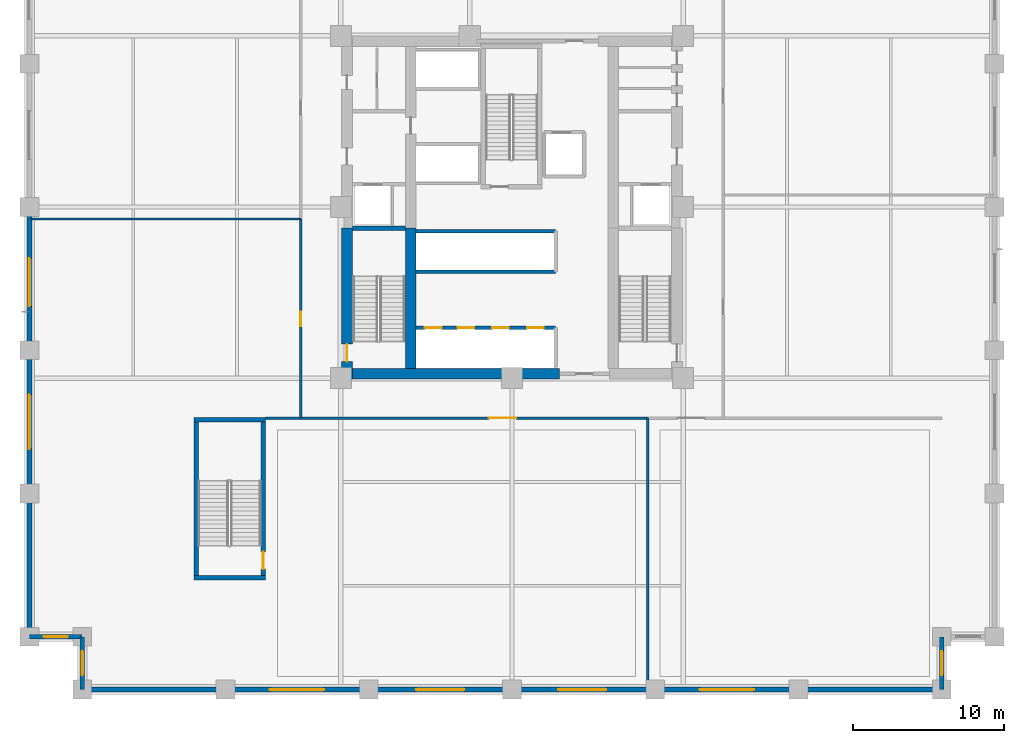
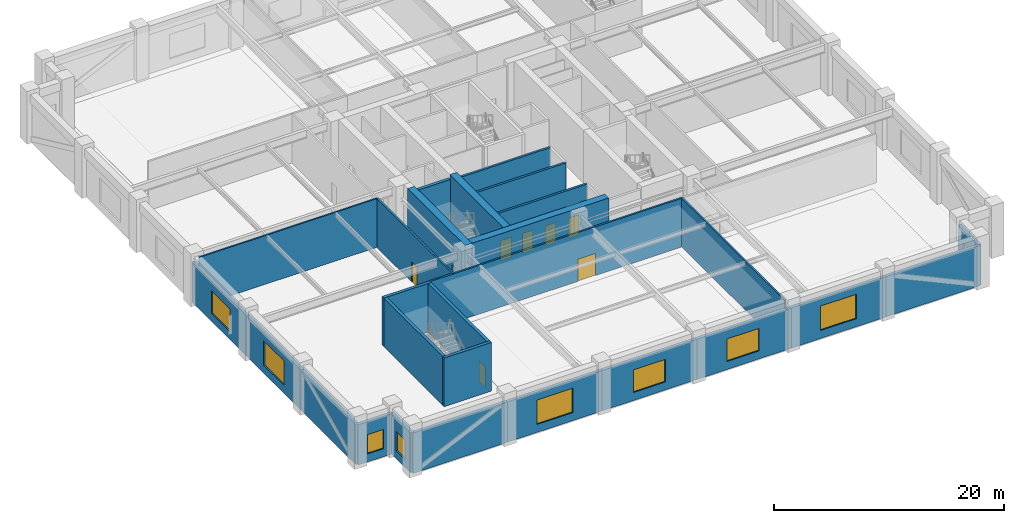
# One storey, part 5 of 14: 27 walls, 9 windows, 8 doors, 17 openings.
"""IFC4 building model written with IfcOpenShell, lengths in metres."""

from ifc_helpers import new_model, si_unit, direction, frame, frame_2d, origin, place, context, subcontext, project, spatial, rectangle, extrude, material, layer, layer_set, type_object, element, fill, save


model = new_model("IFC4")

# Units and contexts
model_context = context("Model", 3, precision=1e-05, world=origin(), true_north=direction((0.0, 1.0)))
body_context = subcontext(model_context, "Body", "Model", "MODEL_VIEW")
ifc_project = project(units=[si_unit("LENGTHUNIT", "METRE"), si_unit("AREAUNIT", "SQUARE_METRE"), si_unit("VOLUMEUNIT", "CUBIC_METRE"), si_unit("PLANEANGLEUNIT", "RADIAN"), si_unit("MASSUNIT", "GRAM", prefix="KILO")], contexts=[model_context])

# Site, building, storey
site_placement = place(None, origin())
site = spatial("IfcSite", under=ifc_project, at=site_placement, CompositionType="ELEMENT")
building_placement = place(site_placement, origin())
building = spatial("IfcBuilding", under=site, at=building_placement, Name="Nhamokura Convention Tower", CompositionType="ELEMENT")
storey_placement = place(building_placement, frame((0.0, 0.0, 23.800048828125)))
storey = spatial("IfcBuildingStorey", under=building, at=storey_placement, Name="L04", CompositionType="ELEMENT", Elevation=23.800048828125)

# Wall
ifc_material_1 = material(Name="Bronze-pigmented precast concrete C45/55", Category="concrete")
ifc_layer_1 = layer(ifc_material_1, 0.320068359375)
ifc_layer_set_1 = layer_set([ifc_layer_1], Name="BronzePrecastSpandrel_320")
wall_type_1 = type_object("IfcWallType", Name="BronzePrecastSpandrel_320", PredefinedType="USERDEFINED", material=ifc_layer_set_1)
wall_1_placement = place(storey_placement, frame((13.0, 0.0, 0.0), z_axis=(0.0, 0.0, 1.0), x_axis=(-1.0, 0.0, 0.0)))
element("IfcWall", 1, at=wall_1_placement, inside=storey, type_object=wall_type_1, Name="L04 Braced-Bay Precast Wall SOUTH 0", ObjectType="SPANDREL_WALL", PredefinedType="USERDEFINED", context=body_context, shape_type="SweptSolid", body=[
    extrude(rectangle(XDim=9.5, YDim=0.320068359375, at=frame_2d((4.75, 0.0))), origin(), (0.0, 0.0, 1.0), 4.280029296875),
])

# Wall, opening, window
wall_2_placement = place(storey_placement, frame((22.5, 0.0, 0.0), z_axis=(0.0, 0.0, 1.0), x_axis=(-1.0, 0.0, 0.0)))
wall_2 = element("IfcWall", 2, at=wall_2_placement, inside=storey, type_object=wall_type_1, Name="L04 Masonry-Frame Wall SOUTH 1", ObjectType="SPANDREL_WALL", PredefinedType="USERDEFINED", context=body_context, shape_type="SweptSolid", body=[
    extrude(rectangle(XDim=9.5, YDim=0.320068359375, at=frame_2d((4.75, 0.0))), origin(), (0.0, 0.0, 1.0), 4.280029296875),
])
opening_1_placement = place(wall_2_placement, frame((2.949951171875, 0.0, 0.85009765625)))
opening_1 = element("IfcOpeningElement", 3, at=opening_1_placement, cuts=wall_2, Name="Opening W-01", PredefinedType="OPENING", context=body_context, shape_type="SweptSolid", body=[
    extrude(rectangle(XDim=3.60009765625, YDim=2.60009765625, at=frame_2d((1.800048828125, 1.300048828125))), frame((0.0, 0.169921875, 0.0), z_axis=(0.0, -1.0, 0.0), x_axis=(1.0, 0.0, 0.0)), (0.0, 0.0, 1.0), 0.340087890625),
])
ifc_material_2 = material(Name="Solar-control bronze low-E double glass", Category="glass")
window_type_1 = type_object("IfcWindowType", Name="PodiumClerestoryWindow_3600", PartitioningType="TRIPLE_PANEL_VERTICAL", PredefinedType="WINDOW", material=ifc_material_2)
window_1_placement = place(opening_1_placement, origin())
window_1 = element("IfcWindow", 4, at=window_1_placement, inside=storey, type_object=window_type_1, Name="L04 Facade Window SOUTH 1", OverallHeight=2.60009765625, OverallWidth=3.60009765625, PartitioningType="SINGLE_PANEL", PredefinedType="WINDOW", context=body_context, shape_type="SweptSolid", body=[
    extrude(rectangle(XDim=3.60009765625, YDim=2.60009765625, at=frame_2d((1.800048828125, 1.300048828125))), frame((0.0, 0.030029296875, 0.0), z_axis=(0.0, -1.0, 0.0), x_axis=(1.0, 0.0, 0.0)), (0.0, 0.0, 1.0), 0.06005859375),
])
fill(opening_1, window_1)

wall_3_placement = place(storey_placement, frame((32.0, 0.0, 0.0), z_axis=(0.0, 0.0, 1.0), x_axis=(-1.0, 0.0, 0.0)))
wall_3 = element("IfcWall", 5, at=wall_3_placement, inside=storey, type_object=wall_type_1, Name="L04 Masonry-Frame Wall SOUTH 2", ObjectType="SPANDREL_WALL", PredefinedType="USERDEFINED", context=body_context, shape_type="SweptSolid", body=[
    extrude(rectangle(XDim=9.5, YDim=0.320068359375, at=frame_2d((4.75, 0.0))), origin(), (0.0, 0.0, 1.0), 4.280029296875),
])
opening_2_placement = place(wall_3_placement, frame((3.14990234375, 0.0, 0.85009765625)))
opening_2 = element("IfcOpeningElement", 6, at=opening_2_placement, cuts=wall_3, Name="Opening W-02", PredefinedType="OPENING", context=body_context, shape_type="SweptSolid", body=[
    extrude(rectangle(XDim=3.199951171875, YDim=2.39990234375, at=frame_2d((1.60009765625, 1.199951171875))), frame((0.0, 0.169921875, 0.0), z_axis=(0.0, -1.0, 0.0), x_axis=(1.0, 0.0, 0.0)), (0.0, 0.0, 1.0), 0.340087890625),
])
ifc_material_3 = material(Name="Solar-control bronze low-E double glass", Category="glass")
window_type_2 = type_object("IfcWindowType", Name="ConventionFoyerWindow_3200", PartitioningType="DOUBLE_PANEL_VERTICAL", PredefinedType="WINDOW", material=ifc_material_3)
window_2_placement = place(opening_2_placement, origin())
window_2 = element("IfcWindow", 7, at=window_2_placement, inside=storey, type_object=window_type_2, Name="L04 Facade Window SOUTH 2", OverallHeight=2.39990234375, OverallWidth=3.199951171875, PartitioningType="SINGLE_PANEL", PredefinedType="WINDOW", context=body_context, shape_type="SweptSolid", body=[
    extrude(rectangle(XDim=3.199951171875, YDim=2.39990234375, at=frame_2d((1.60009765625, 1.199951171875))), frame((0.0, 0.030029296875, 0.0), z_axis=(0.0, -1.0, 0.0), x_axis=(1.0, 0.0, 0.0)), (0.0, 0.0, 1.0), 0.06005859375),
])
fill(opening_2, window_2)

wall_4_placement = place(storey_placement, frame((41.5, 0.0, 0.0), z_axis=(0.0, 0.0, 1.0), x_axis=(-1.0, 0.0, 0.0)))
wall_4 = element("IfcWall", 8, at=wall_4_placement, inside=storey, type_object=wall_type_1, Name="L04 Masonry-Frame Wall SOUTH 3", ObjectType="SPANDREL_WALL", PredefinedType="USERDEFINED", context=body_context, shape_type="SweptSolid", body=[
    extrude(rectangle(XDim=9.5, YDim=0.320068359375, at=frame_2d((4.75, 0.0))), origin(), (0.0, 0.0, 1.0), 4.280029296875),
])
opening_3_placement = place(wall_4_placement, frame((3.239990234375, 0.0, 0.85009765625)))
opening_3 = element("IfcOpeningElement", 9, at=opening_3_placement, cuts=wall_4, Name="Opening W-02", PredefinedType="OPENING", context=body_context, shape_type="SweptSolid", body=[
    extrude(rectangle(XDim=3.199951171875, YDim=2.39990234375, at=frame_2d((1.60009765625, 1.199951171875))), frame((0.0, 0.169921875, 0.0), z_axis=(0.0, -1.0, 0.0), x_axis=(1.0, 0.0, 0.0)), (0.0, 0.0, 1.0), 0.340087890625),
])
window_3_placement = place(opening_3_placement, origin())
window_3 = element("IfcWindow", 10, at=window_3_placement, inside=storey, type_object=window_type_2, Name="L04 Facade Window SOUTH 3", OverallHeight=2.39990234375, OverallWidth=3.199951171875, PartitioningType="SINGLE_PANEL", PredefinedType="WINDOW", context=body_context, shape_type="SweptSolid", body=[
    extrude(rectangle(XDim=3.199951171875, YDim=2.39990234375, at=frame_2d((1.60009765625, 1.199951171875))), frame((0.0, 0.030029296875, 0.0), z_axis=(0.0, -1.0, 0.0), x_axis=(1.0, 0.0, 0.0)), (0.0, 0.0, 1.0), 0.06005859375),
])
fill(opening_3, window_3)

wall_5_placement = place(storey_placement, frame((51.0, 0.0, 0.0), z_axis=(0.0, 0.0, 1.0), x_axis=(-1.0, 0.0, 0.0)))
wall_5 = element("IfcWall", 11, at=wall_5_placement, inside=storey, type_object=wall_type_1, Name="L04 Masonry-Frame Wall SOUTH 4", ObjectType="SPANDREL_WALL", PredefinedType="USERDEFINED", context=body_context, shape_type="SweptSolid", body=[
    extrude(rectangle(XDim=9.5, YDim=0.320068359375, at=frame_2d((4.75, 0.0))), origin(), (0.0, 0.0, 1.0), 4.280029296875),
])
opening_4_placement = place(wall_5_placement, frame((2.949951171875, 0.0, 0.85009765625)))
opening_4 = element("IfcOpeningElement", 12, at=opening_4_placement, cuts=wall_5, Name="Opening W-01", PredefinedType="OPENING", context=body_context, shape_type="SweptSolid", body=[
    extrude(rectangle(XDim=3.60009765625, YDim=2.60009765625, at=frame_2d((1.800048828125, 1.300048828125))), frame((0.0, 0.169921875, 0.0), z_axis=(0.0, -1.0, 0.0), x_axis=(1.0, 0.0, 0.0)), (0.0, 0.0, 1.0), 0.340087890625),
])
window_4_placement = place(opening_4_placement, origin())
window_4 = element("IfcWindow", 13, at=window_4_placement, inside=storey, type_object=window_type_1, Name="L04 Facade Window SOUTH 4", OverallHeight=2.60009765625, OverallWidth=3.60009765625, PartitioningType="SINGLE_PANEL", PredefinedType="WINDOW", context=body_context, shape_type="SweptSolid", body=[
    extrude(rectangle(XDim=3.60009765625, YDim=2.60009765625, at=frame_2d((1.800048828125, 1.300048828125))), frame((0.0, 0.030029296875, 0.0), z_axis=(0.0, -1.0, 0.0), x_axis=(1.0, 0.0, 0.0)), (0.0, 0.0, 1.0), 0.06005859375),
])
fill(opening_4, window_4)

# Walls
for number, where, z_axis, x_axis, name in (
    (14, (60.5, 0.0, 0.0), (0.0, 0.0, 1.0), (-1.0, 0.0, 0.0), "L04 Braced-Bay Precast Wall SOUTH 5"),
    (15, (0.0, 3.5, 0.0), (0.0, 0.0, 1.0), (0.0, 1.0, 0.0), "L04 Braced-Bay Precast Wall WEST 0"),
):
    element("IfcWall", number, at=place(storey_placement, frame(where, z_axis=z_axis, x_axis=x_axis)), inside=storey, type_object=wall_type_1, Name=name, ObjectType="SPANDREL_WALL", PredefinedType="USERDEFINED", context=body_context, shape_type="SweptSolid", body=[
        extrude(rectangle(XDim=9.5, YDim=0.320068359375, at=frame_2d((4.75, 0.0))), origin(), (0.0, 0.0, 1.0), 4.280029296875),
    ])

# Wall, opening, window
wall_6_placement = place(storey_placement, frame((0.0, 13.0, 0.0), z_axis=(0.0, 0.0, 1.0), x_axis=(0.0, 1.0, 0.0)))
wall_6 = element("IfcWall", 16, at=wall_6_placement, inside=storey, type_object=wall_type_1, Name="L04 Masonry-Frame Wall WEST 1", ObjectType="SPANDREL_WALL", PredefinedType="USERDEFINED", context=body_context, shape_type="SweptSolid", body=[
    extrude(rectangle(XDim=9.5, YDim=0.320068359375, at=frame_2d((4.75, 0.0))), origin(), (0.0, 0.0, 1.0), 4.280029296875),
])
opening_5_placement = place(wall_6_placement, frame((2.949951171875, 0.0, 0.85009765625)))
opening_5 = element("IfcOpeningElement", 17, at=opening_5_placement, cuts=wall_6, Name="Opening W-01", PredefinedType="OPENING", context=body_context, shape_type="SweptSolid", body=[
    extrude(rectangle(XDim=3.60009765625, YDim=2.60009765625, at=frame_2d((1.800048828125, 1.300048828125))), frame((0.0, 0.169921875, 0.0), z_axis=(0.0, -1.0, 0.0), x_axis=(1.0, 0.0, 0.0)), (0.0, 0.0, 1.0), 0.340087890625),
])
window_5_placement = place(opening_5_placement, origin())
window_5 = element("IfcWindow", 18, at=window_5_placement, inside=storey, type_object=window_type_1, Name="L04 Facade Window WEST 1", OverallHeight=2.60009765625, OverallWidth=3.60009765625, PartitioningType="SINGLE_PANEL", PredefinedType="WINDOW", context=body_context, shape_type="SweptSolid", body=[
    extrude(rectangle(XDim=3.60009765625, YDim=2.60009765625, at=frame_2d((1.800048828125, 1.300048828125))), frame((0.0, 0.030029296875, 0.0), z_axis=(0.0, -1.0, 0.0), x_axis=(1.0, 0.0, 0.0)), (0.0, 0.0, 1.0), 0.06005859375),
])
fill(opening_5, window_5)

wall_7_placement = place(storey_placement, frame((0.0, 22.5, 0.0), z_axis=(0.0, 0.0, 1.0), x_axis=(0.0, 1.0, 0.0)))
wall_7 = element("IfcWall", 19, at=wall_7_placement, inside=storey, type_object=wall_type_1, Name="L04 Masonry-Frame Wall WEST 2", ObjectType="SPANDREL_WALL", PredefinedType="USERDEFINED", context=body_context, shape_type="SweptSolid", body=[
    extrude(rectangle(XDim=9.5, YDim=0.320068359375, at=frame_2d((4.75, 0.0))), origin(), (0.0, 0.0, 1.0), 4.280029296875),
])
opening_6_placement = place(wall_7_placement, frame((2.91259765625, 0.0, 0.85009765625)))
opening_6 = element("IfcOpeningElement", 20, at=opening_6_placement, cuts=wall_7, Name="Opening W-02", PredefinedType="OPENING", context=body_context, shape_type="SweptSolid", body=[
    extrude(rectangle(XDim=3.199951171875, YDim=2.39990234375, at=frame_2d((1.60009765625, 1.199951171875))), frame((0.0, 0.169921875, 0.0), z_axis=(0.0, -1.0, 0.0), x_axis=(1.0, 0.0, 0.0)), (0.0, 0.0, 1.0), 0.340087890625),
])
window_6_placement = place(opening_6_placement, origin())
window_6 = element("IfcWindow", 21, at=window_6_placement, inside=storey, type_object=window_type_2, Name="L04 Facade Window WEST 2", OverallHeight=2.39990234375, OverallWidth=3.199951171875, PartitioningType="SINGLE_PANEL", PredefinedType="WINDOW", context=body_context, shape_type="SweptSolid", body=[
    extrude(rectangle(XDim=3.199951171875, YDim=2.39990234375, at=frame_2d((1.60009765625, 1.199951171875))), frame((0.0, 0.030029296875, 0.0), z_axis=(0.0, -1.0, 0.0), x_axis=(1.0, 0.0, 0.0)), (0.0, 0.0, 1.0), 0.06005859375),
])
fill(opening_6, window_6)

wall_8_placement = place(storey_placement, frame((3.5, 0.0, 0.0), z_axis=(0.0, 0.0, 1.0), x_axis=(0.0, 1.0, 0.0)))
wall_8 = element("IfcWall", 22, at=wall_8_placement, inside=storey, type_object=wall_type_1, Name="L04 Notched Corner Wall SW1", ObjectType="SPANDREL_WALL", PredefinedType="USERDEFINED", context=body_context, shape_type="SweptSolid", body=[
    extrude(rectangle(XDim=3.5, YDim=0.320068359375, at=frame_2d((1.75, 0.0))), origin(), (0.0, 0.0, 1.0), 4.280029296875),
])
opening_7_placement = place(wall_8_placement, frame((0.949951171875, 0.0, 0.85009765625)))
opening_7 = element("IfcOpeningElement", 23, at=opening_7_placement, cuts=wall_8, Name="Opening W-11", PredefinedType="OPENING", context=body_context, shape_type="SweptSolid", body=[
    extrude(rectangle(XDim=1.60009765625, YDim=2.050048828125, at=frame_2d((0.800048828125, 1.02490234375))), frame((0.0, 0.169921875, 0.0), z_axis=(0.0, -1.0, 0.0), x_axis=(1.0, 0.0, 0.0)), (0.0, 0.0, 1.0), 0.340087890625),
])
ifc_material_4 = material(Name="Solar-control bronze low-E double glass", Category="glass")
window_type_3 = type_object("IfcWindowType", Name="NotchCornerWindow_1600", PartitioningType="SINGLE_PANEL", PredefinedType="WINDOW", material=ifc_material_4)
window_7_placement = place(opening_7_placement, origin())
window_7 = element("IfcWindow", 24, at=window_7_placement, inside=storey, type_object=window_type_3, Name="L04 Notched Corner Window SW1", OverallHeight=2.050048828125, OverallWidth=1.60009765625, PartitioningType="SINGLE_PANEL", PredefinedType="WINDOW", context=body_context, shape_type="SweptSolid", body=[
    extrude(rectangle(XDim=1.60009765625, YDim=2.050048828125, at=frame_2d((0.800048828125, 1.02490234375))), frame((0.0, 0.030029296875, 0.0), z_axis=(0.0, -1.0, 0.0), x_axis=(1.0, 0.0, 0.0)), (0.0, 0.0, 1.0), 0.06005859375),
])
fill(opening_7, window_7)

wall_9_placement = place(storey_placement, frame((3.5, 3.5, 0.0), z_axis=(0.0, 0.0, 1.0), x_axis=(-1.0, 0.0, 0.0)))
wall_9 = element("IfcWall", 25, at=wall_9_placement, inside=storey, type_object=wall_type_1, Name="L04 Notched Corner Wall SW2", ObjectType="SPANDREL_WALL", PredefinedType="USERDEFINED", context=body_context, shape_type="SweptSolid", body=[
    extrude(rectangle(XDim=3.5, YDim=0.320068359375, at=frame_2d((1.75, 0.0))), origin(), (0.0, 0.0, 1.0), 4.280029296875),
])
opening_8_placement = place(wall_9_placement, frame((0.949951171875, 0.0, 0.85009765625)))
opening_8 = element("IfcOpeningElement", 26, at=opening_8_placement, cuts=wall_9, Name="Opening W-11", PredefinedType="OPENING", context=body_context, shape_type="SweptSolid", body=[
    extrude(rectangle(XDim=1.60009765625, YDim=2.050048828125, at=frame_2d((0.800048828125, 1.02490234375))), frame((0.0, 0.169921875, 0.0), z_axis=(0.0, -1.0, 0.0), x_axis=(1.0, 0.0, 0.0)), (0.0, 0.0, 1.0), 0.340087890625),
])
window_8_placement = place(opening_8_placement, origin())
window_8 = element("IfcWindow", 27, at=window_8_placement, inside=storey, type_object=window_type_3, Name="L04 Notched Corner Window SW2", OverallHeight=2.050048828125, OverallWidth=1.60009765625, PartitioningType="SINGLE_PANEL", PredefinedType="WINDOW", context=body_context, shape_type="SweptSolid", body=[
    extrude(rectangle(XDim=1.60009765625, YDim=2.050048828125, at=frame_2d((0.800048828125, 1.02490234375))), frame((0.0, 0.030029296875, 0.0), z_axis=(0.0, -1.0, 0.0), x_axis=(1.0, 0.0, 0.0)), (0.0, 0.0, 1.0), 0.06005859375),
])
fill(opening_8, window_8)

wall_10_placement = place(storey_placement, frame((60.5, 3.5, 0.0), z_axis=(0.0, 0.0, 1.0), x_axis=(0.0, -1.0, 0.0)))
wall_10 = element("IfcWall", 28, at=wall_10_placement, inside=storey, type_object=wall_type_1, Name="L04 Notched Corner Wall SE1", ObjectType="SPANDREL_WALL", PredefinedType="USERDEFINED", context=body_context, shape_type="SweptSolid", body=[
    extrude(rectangle(XDim=3.5, YDim=0.320068359375, at=frame_2d((1.75, 0.0))), origin(), (0.0, 0.0, 1.0), 4.280029296875),
])
opening_9_placement = place(wall_10_placement, frame((0.949951171875, 0.0, 0.85009765625)))
opening_9 = element("IfcOpeningElement", 29, at=opening_9_placement, cuts=wall_10, Name="Opening W-11", PredefinedType="OPENING", context=body_context, shape_type="SweptSolid", body=[
    extrude(rectangle(XDim=1.60009765625, YDim=2.050048828125, at=frame_2d((0.800048828125, 1.02490234375))), frame((0.0, 0.169921875, 0.0), z_axis=(0.0, -1.0, 0.0), x_axis=(1.0, 0.0, 0.0)), (0.0, 0.0, 1.0), 0.340087890625),
])
window_9_placement = place(opening_9_placement, origin())
window_9 = element("IfcWindow", 30, at=window_9_placement, inside=storey, type_object=window_type_3, Name="L04 Notched Corner Window SE1", OverallHeight=2.050048828125, OverallWidth=1.60009765625, PartitioningType="SINGLE_PANEL", PredefinedType="WINDOW", context=body_context, shape_type="SweptSolid", body=[
    extrude(rectangle(XDim=1.60009765625, YDim=2.050048828125, at=frame_2d((0.800048828125, 1.02490234375))), frame((0.0, 0.030029296875, 0.0), z_axis=(0.0, -1.0, 0.0), x_axis=(1.0, 0.0, 0.0)), (0.0, 0.0, 1.0), 0.06005859375),
])
fill(opening_9, window_9)

# Wall, opening, door
ifc_material_5 = material(Name="Concrete C70/85", Category="concrete")
ifc_layer_2 = layer(ifc_material_5, 0.699951171875)
ifc_layer_set_2 = layer_set([ifc_layer_2], Name="CoreShearWall_700")
wall_type_2 = type_object("IfcWallType", Name="CoreShearWall_700", PredefinedType="SHEAR", material=ifc_layer_set_2)
wall_11_placement = place(storey_placement, frame((21.06005859375, 20.60009765625, 0.0), z_axis=(0.0, 0.0, 1.0), x_axis=(0.0, 1.0, 0.0)))
wall_11 = element("IfcWall", 31, at=wall_11_placement, inside=storey, type_object=wall_type_2, Name="L04 Core Shear Wall CW-WS", PredefinedType="SHEAR", context=body_context, shape_type="SweptSolid", body=[
    extrude(rectangle(XDim=10.0, YDim=0.699951171875, at=frame_2d((5.0, 0.0))), origin(), (0.0, 0.0, 1.0), 5.599853515625),
])
opening_10_placement = place(wall_11_placement, frame((1.14990234375, 0.0, 0.0)))
opening_10 = element("IfcOpeningElement", 32, at=opening_10_placement, cuts=wall_11, Name="Opening D-04", PredefinedType="OPENING", context=body_context, shape_type="SweptSolid", body=[
    extrude(rectangle(XDim=1.14990234375, YDim=2.14990234375, at=frame_2d((0.574951171875, 1.074951171875))), frame((0.0, 0.35986328125, 0.0), z_axis=(0.0, -1.0, 0.0), x_axis=(1.0, 0.0, 0.0)), (0.0, 0.0, 1.0), 0.719970703125),
])
ifc_material_6 = material(Name="Fire-rated steel door", Category="steel")
door_type_1 = type_object("IfcDoorType", Name="StairSmokeDoor_1150", OperationType="NOTDEFINED", PredefinedType="DOOR", material=ifc_material_6)
door_1_placement = place(opening_10_placement, origin())
door_1 = element("IfcDoor", 33, at=door_1_placement, inside=storey, type_object=door_type_1, Name="L04 Core Door INT-L04-D-ST01", OperationType="SINGLE_SWING_LEFT", OverallHeight=2.14990234375, OverallWidth=1.14990234375, PredefinedType="DOOR", context=body_context, shape_type="SweptSolid", body=[
    extrude(rectangle(XDim=1.14990234375, YDim=2.14990234375, at=frame_2d((0.574951171875, 1.074951171875))), frame((0.0, 0.02490234375, 0.0), z_axis=(0.0, -1.0, 0.0), x_axis=(1.0, 0.0, 0.0)), (0.0, 0.0, 1.0), 0.050048828125),
])
fill(opening_10, door_1)

# Walls
wall_12_placement = place(storey_placement, frame((21.409912109375, 20.949951171875, 0.0), z_axis=(0.0, 0.0, 1.0), x_axis=(1.0, 0.0, 0.0)))
element("IfcWall", 34, at=wall_12_placement, inside=storey, type_object=wall_type_2, Name="L04 Core Shear Wall CW-S1", PredefinedType="SHEAR", context=body_context, shape_type="SweptSolid", body=[
    extrude(rectangle(XDim=13.739990234375, YDim=0.699951171875, at=frame_2d((6.8701171875, 0.0))), origin(), (0.0, 0.0, 1.0), 5.599853515625),
])
wall_13_placement = place(storey_placement, frame((25.2900390625, 21.300048828125, 0.0), z_axis=(0.0, 0.0, 1.0), x_axis=(0.0, 1.0, 0.0)))
element("IfcWall", 35, at=wall_13_placement, inside=storey, type_object=wall_type_2, Name="L04 Core Shear Wall CW-IWS", PredefinedType="SHEAR", context=body_context, shape_type="SweptSolid", body=[
    extrude(rectangle(XDim=9.300048828125, YDim=0.699951171875, at=frame_2d((4.64990234375, 0.0))), origin(), (0.0, 0.0, 1.0), 5.599853515625),
])

# Wall, opening, door
ifc_material_7 = material(Name="Fire-rated gypsum and masonry partition", Category="masonry")
ifc_layer_3 = layer(ifc_material_7, 0.179931640625)
ifc_layer_set_3 = layer_set([ifc_layer_3], Name="CorridorRatedWall_180")
wall_type_3 = type_object("IfcWallType", Name="CorridorRatedWall_180", PredefinedType="STANDARD", material=ifc_layer_set_3)
wall_14_placement = place(storey_placement, frame((15.64990234375, 18.0, 0.0), z_axis=(0.0, 0.0, 1.0), x_axis=(1.0, 0.0, 0.0)))
wall_14 = element("IfcWall", 36, at=wall_14_placement, inside=storey, type_object=wall_type_3, Name="L04 Wall INT-L04-CW-S00", PredefinedType="STANDARD", context=body_context, shape_type="SweptSolid", body=[
    extrude(rectangle(XDim=25.35009765625, YDim=0.179931640625, at=frame_2d((12.675048828125, 0.0))), origin(), (0.0, 0.0, 1.0), 5.179931640625),
])
opening_11_placement = place(wall_14_placement, frame((14.824951171875, 0.0, 0.0)))
opening_11 = element("IfcOpeningElement", 37, at=opening_11_placement, cuts=wall_14, Name="Opening D-03", PredefinedType="OPENING", context=body_context, shape_type="SweptSolid", body=[
    extrude(rectangle(XDim=1.800048828125, YDim=2.35009765625, at=frame_2d((0.89990234375, 1.175048828125))), frame((0.0, 0.099853515625, 0.0), z_axis=(0.0, -1.0, 0.0), x_axis=(1.0, 0.0, 0.0)), (0.0, 0.0, 1.0), 0.199951171875),
])
ifc_material_8 = material(Name="Solid oak hardwood", Category="wood")
door_type_2 = type_object("IfcDoorType", Name="BallroomDoubleDoor_1800", OperationType="DOUBLE_DOOR_SINGLE_SWING", PredefinedType="DOOR", material=ifc_material_8)
door_2_placement = place(opening_11_placement, origin())
door_2 = element("IfcDoor", 38, at=door_2_placement, inside=storey, type_object=door_type_2, Name="L04 Grand Ballroom S01 Door", OperationType="SINGLE_SWING_LEFT", OverallHeight=2.35009765625, OverallWidth=1.800048828125, PredefinedType="DOOR", context=body_context, shape_type="SweptSolid", body=[
    extrude(rectangle(XDim=1.800048828125, YDim=2.35009765625, at=frame_2d((0.89990234375, 1.175048828125))), frame((0.0, 0.02490234375, 0.0), z_axis=(0.0, -1.0, 0.0), x_axis=(1.0, 0.0, 0.0)), (0.0, 0.0, 1.0), 0.050048828125),
])
fill(opening_11, door_2)

wall_15_placement = place(storey_placement, frame((18.0, 18.0, 0.0), z_axis=(0.0, 0.0, 1.0), x_axis=(0.0, 1.0, 0.0)))
wall_15 = element("IfcWall", 39, at=wall_15_placement, inside=storey, type_object=wall_type_3, Name="L04 Wall INT-L04-CW-W00", PredefinedType="STANDARD", context=body_context, shape_type="SweptSolid", body=[
    extrude(rectangle(XDim=13.199951171875, YDim=0.179931640625, at=frame_2d((6.60009765625, 0.0))), origin(), (0.0, 0.0, 1.0), 5.179931640625),
])
opening_12_placement = place(wall_15_placement, frame((6.10009765625, 0.0, 0.0)))
opening_12 = element("IfcOpeningElement", 40, at=opening_12_placement, cuts=wall_15, Name="Opening D-09", PredefinedType="OPENING", context=body_context, shape_type="SweptSolid", body=[
    extrude(rectangle(XDim=0.949951171875, YDim=2.14990234375, at=frame_2d((0.47509765625, 1.074951171875))), frame((0.0, 0.099853515625, 0.0), z_axis=(0.0, -1.0, 0.0), x_axis=(1.0, 0.0, 0.0)), (0.0, 0.0, 1.0), 0.199951171875),
])
ifc_material_9 = material(Name="Solid oak hardwood", Category="wood")
door_type_3 = type_object("IfcDoorType", Name="MeetingRoomDoor_950", OperationType="NOTDEFINED", PredefinedType="DOOR", material=ifc_material_9)
door_3_placement = place(opening_12_placement, origin())
door_3 = element("IfcDoor", 41, at=door_3_placement, inside=storey, type_object=door_type_3, Name="L04 Private Office W01 Door", OperationType="SINGLE_SWING_LEFT", OverallHeight=2.14990234375, OverallWidth=0.949951171875, PredefinedType="DOOR", context=body_context, shape_type="SweptSolid", body=[
    extrude(rectangle(XDim=0.949951171875, YDim=2.14990234375, at=frame_2d((0.47509765625, 1.074951171875))), frame((0.0, 0.02490234375, 0.0), z_axis=(0.0, -1.0, 0.0), x_axis=(1.0, 0.0, 0.0)), (0.0, 0.0, 1.0), 0.050048828125),
])
fill(opening_12, door_3)

# Wall, openings, doors
ifc_material_10 = material(Name="Autoclaved concrete blockwork", Category="masonry")
ifc_layer_4 = layer(ifc_material_10, 0.219970703125)
ifc_layer_set_4 = layer_set([ifc_layer_4], Name="FireLobbyWall_220")
wall_type_4 = type_object("IfcWallType", Name="FireLobbyWall_220", PredefinedType="STANDARD", material=ifc_layer_set_4)
wall_16_placement = place(storey_placement, frame((25.64990234375, 24.0, 0.0), z_axis=(0.0, 0.0, 1.0), x_axis=(1.0, 0.0, 0.0)))
wall_16 = element("IfcWall", 42, at=wall_16_placement, inside=storey, type_object=wall_type_4, Name="L04 Wall INT-L04-B1N", PredefinedType="STANDARD", context=body_context, shape_type="SweptSolid", body=[
    extrude(rectangle(XDim=9.25, YDim=0.219970703125, at=frame_2d((4.625, 0.0))), origin(), (0.0, 0.0, 1.0), 5.179931640625),
])
opening_13_placement = place(wall_16_placement, frame((0.580078125, 0.0, 0.0)))
opening_13 = element("IfcOpeningElement", 43, at=opening_13_placement, cuts=wall_16, Name="Opening LD-01", PredefinedType="OPENING", context=body_context, shape_type="SweptSolid", body=[
    extrude(rectangle(XDim=1.10009765625, YDim=2.14990234375, at=frame_2d((0.550048828125, 1.074951171875))), frame((0.0, 0.119873046875, 0.0), z_axis=(0.0, -1.0, 0.0), x_axis=(1.0, 0.0, 0.0)), (0.0, 0.0, 1.0), 0.239990234375),
])
opening_14_placement = place(wall_16_placement, frame((2.75, 0.0, 0.0)))
opening_14 = element("IfcOpeningElement", 44, at=opening_14_placement, cuts=wall_16, Name="Opening LD-01", PredefinedType="OPENING", context=body_context, shape_type="SweptSolid", body=[
    extrude(rectangle(XDim=1.10009765625, YDim=2.14990234375, at=frame_2d((0.550048828125, 1.074951171875))), frame((0.0, 0.119873046875, 0.0), z_axis=(0.0, -1.0, 0.0), x_axis=(1.0, 0.0, 0.0)), (0.0, 0.0, 1.0), 0.239990234375),
])
opening_15_placement = place(wall_16_placement, frame((5.050048828125, 0.0, 0.0)))
opening_15 = element("IfcOpeningElement", 45, at=opening_15_placement, cuts=wall_16, Name="Opening LD-01", PredefinedType="OPENING", context=body_context, shape_type="SweptSolid", body=[
    extrude(rectangle(XDim=1.10009765625, YDim=2.14990234375, at=frame_2d((0.550048828125, 1.074951171875))), frame((0.0, 0.119873046875, 0.0), z_axis=(0.0, -1.0, 0.0), x_axis=(1.0, 0.0, 0.0)), (0.0, 0.0, 1.0), 0.239990234375),
])
opening_16_placement = place(wall_16_placement, frame((7.35009765625, 0.0, 0.0)))
opening_16 = element("IfcOpeningElement", 46, at=opening_16_placement, cuts=wall_16, Name="Opening LD-01", PredefinedType="OPENING", context=body_context, shape_type="SweptSolid", body=[
    extrude(rectangle(XDim=1.10009765625, YDim=2.14990234375, at=frame_2d((0.550048828125, 1.074951171875))), frame((0.0, 0.119873046875, 0.0), z_axis=(0.0, -1.0, 0.0), x_axis=(1.0, 0.0, 0.0)), (0.0, 0.0, 1.0), 0.239990234375),
])
ifc_material_11 = material(Name="Anodised bronze stainless steel", Category="steel")
door_type_4 = type_object("IfcDoorType", Name="LiftLandingDoor_Passenger", OperationType="DOUBLE_DOOR_SLIDING", PredefinedType="DOOR", material=ifc_material_11)
door_4_placement = place(opening_13_placement, origin())
door_4 = element("IfcDoor", 47, at=door_4_placement, inside=storey, type_object=door_type_4, Name="L04 Lift LP-01 Landing Door", OperationType="DOUBLE_DOOR_SLIDING", OverallHeight=2.14990234375, OverallWidth=1.10009765625, PredefinedType="DOOR", context=body_context, shape_type="SweptSolid", body=[
    extrude(rectangle(XDim=1.10009765625, YDim=2.14990234375, at=frame_2d((0.550048828125, 1.074951171875))), frame((0.0, 0.02490234375, 0.0), z_axis=(0.0, -1.0, 0.0), x_axis=(1.0, 0.0, 0.0)), (0.0, 0.0, 1.0), 0.050048828125),
])
fill(opening_13, door_4)
door_5_placement = place(opening_14_placement, origin())
door_5 = element("IfcDoor", 48, at=door_5_placement, inside=storey, type_object=door_type_4, Name="L04 Lift LP-02 Landing Door", OperationType="DOUBLE_DOOR_SLIDING", OverallHeight=2.14990234375, OverallWidth=1.10009765625, PredefinedType="DOOR", context=body_context, shape_type="SweptSolid", body=[
    extrude(rectangle(XDim=1.10009765625, YDim=2.14990234375, at=frame_2d((0.550048828125, 1.074951171875))), frame((0.0, 0.02490234375, 0.0), z_axis=(0.0, -1.0, 0.0), x_axis=(1.0, 0.0, 0.0)), (0.0, 0.0, 1.0), 0.050048828125),
])
fill(opening_14, door_5)
door_6_placement = place(opening_15_placement, origin())
door_6 = element("IfcDoor", 49, at=door_6_placement, inside=storey, type_object=door_type_4, Name="L04 Lift LP-03 Landing Door", OperationType="DOUBLE_DOOR_SLIDING", OverallHeight=2.14990234375, OverallWidth=1.10009765625, PredefinedType="DOOR", context=body_context, shape_type="SweptSolid", body=[
    extrude(rectangle(XDim=1.10009765625, YDim=2.14990234375, at=frame_2d((0.550048828125, 1.074951171875))), frame((0.0, 0.02490234375, 0.0), z_axis=(0.0, -1.0, 0.0), x_axis=(1.0, 0.0, 0.0)), (0.0, 0.0, 1.0), 0.050048828125),
])
fill(opening_15, door_6)
door_7_placement = place(opening_16_placement, origin())
door_7 = element("IfcDoor", 50, at=door_7_placement, inside=storey, type_object=door_type_4, Name="L04 Lift LP-04 Landing Door", OperationType="DOUBLE_DOOR_SLIDING", OverallHeight=2.14990234375, OverallWidth=1.10009765625, PredefinedType="DOOR", context=body_context, shape_type="SweptSolid", body=[
    extrude(rectangle(XDim=1.10009765625, YDim=2.14990234375, at=frame_2d((0.550048828125, 1.074951171875))), frame((0.0, 0.02490234375, 0.0), z_axis=(0.0, -1.0, 0.0), x_axis=(1.0, 0.0, 0.0)), (0.0, 0.0, 1.0), 0.050048828125),
])
fill(opening_16, door_7)

# Walls
for number, where, z_axis, x_axis, name in (
    (51, (25.64990234375, 27.699951171875, 0.0), (0.0, 0.0, 1.0), (1.0, 0.0, 0.0), "L04 Wall INT-L04-B2S"),
    (52, (25.64990234375, 30.39990234375, 0.0), (0.0, 0.0, 1.0), (1.0, 0.0, 0.0), "L04 Wall INT-L04-B2N"),
):
    element("IfcWall", number, at=place(storey_placement, frame(where, z_axis=z_axis, x_axis=x_axis)), inside=storey, type_object=wall_type_4, Name=name, PredefinedType="STANDARD", context=body_context, shape_type="SweptSolid", body=[
        extrude(rectangle(XDim=9.25, YDim=0.219970703125, at=frame_2d((4.625, 0.0))), origin(), (0.0, 0.0, 1.0), 5.179931640625),
    ])
ifc_material_12 = material(Name="Acoustic gypsum stud partition", Category="masonry")
ifc_layer_5 = layer(ifc_material_12, 0.14990234375)
ifc_layer_set_5 = layer_set([ifc_layer_5], Name="InteriorPartition_150")
wall_type_5 = type_object("IfcWallType", Name="InteriorPartition_150", PredefinedType="STANDARD", material=ifc_layer_set_5)
wall_17_placement = place(storey_placement, frame((0.06005859375, 31.199951171875, 0.0), z_axis=(0.0, 0.0, 1.0), x_axis=(1.0, 0.0, 0.0)))
element("IfcWall", 53, at=wall_17_placement, inside=storey, type_object=wall_type_5, Name="L04 Wall INT-L04-RW-W01", PredefinedType="STANDARD", context=body_context, shape_type="SweptSolid", body=[
    extrude(rectangle(XDim=17.93994140625, YDim=0.14990234375, at=frame_2d((8.969970703125, 0.0))), origin(), (0.0, 0.0, 1.0), 5.179931640625),
])
ifc_material_13 = material(Name="Bronze-framed acoustic operable panel wall", Category="aluminium")
ifc_layer_6 = layer(ifc_material_13, 0.159912109375)
ifc_layer_set_6 = layer_set([ifc_layer_6], Name="OperableAcousticWall_160")
wall_type_6 = type_object("IfcWallType", Name="OperableAcousticWall_160", PredefinedType="MOVABLE", material=ifc_layer_set_6)
wall_18_placement = place(storey_placement, frame((41.0, 0.06005859375, 0.0), z_axis=(0.0, 0.0, 1.0), x_axis=(0.0, 1.0, 0.0)))
element("IfcWall", 54, at=wall_18_placement, inside=storey, type_object=wall_type_6, Name="L04 Wall INT-L04-RW-S01", PredefinedType="MOVABLE", context=body_context, shape_type="SweptSolid", body=[
    extrude(rectangle(XDim=17.93994140625, YDim=0.159912109375, at=frame_2d((8.969970703125, 0.0))), origin(), (0.0, 0.0, 1.0), 5.179931640625),
])
ifc_material_14 = material(Name="Concrete C50/60", Category="concrete")
ifc_layer_7 = layer(ifc_material_14, 0.300048828125)
ifc_layer_set_7 = layer_set([ifc_layer_7], Name="ShaftEnclosureWall_300")
wall_type_7 = type_object("IfcWallType", Name="ShaftEnclosureWall_300", PredefinedType="SHEAR", material=ifc_layer_set_7)
wall_19_placement = place(storey_placement, frame((21.409912109375, 30.60009765625, 0.0), z_axis=(0.0, 0.0, 1.0), x_axis=(1.0, 0.0, 0.0)))
element("IfcWall", 55, at=wall_19_placement, inside=storey, type_object=wall_type_7, Name="L04 Wall INT-L04-ST01-N", PredefinedType="SHEAR", context=body_context, shape_type="SweptSolid", body=[
    extrude(rectangle(XDim=3.530029296875, YDim=0.300048828125, at=frame_2d((1.76513671875, 0.0))), origin(), (0.0, 0.0, 1.0), 5.179931640625),
])
wall_20_placement = place(storey_placement, frame((11.050048828125, 7.39990234375, 0.0), z_axis=(0.0, 0.0, 1.0), x_axis=(0.0, 1.0, 0.0)))
element("IfcWall", 56, at=wall_20_placement, inside=storey, type_object=wall_type_7, Name="L04 Wall INT-L04-ST04-W", PredefinedType="SHEAR", context=body_context, shape_type="SweptSolid", body=[
    extrude(rectangle(XDim=10.5, YDim=0.300048828125, at=frame_2d((5.25, 0.0))), origin(), (0.0, 0.0, 1.0), 5.179931640625),
])

# Wall, opening, door
wall_21_placement = place(storey_placement, frame((15.5, 7.39990234375, 0.0), z_axis=(0.0, 0.0, 1.0), x_axis=(0.0, 1.0, 0.0)))
wall_21 = element("IfcWall", 57, at=wall_21_placement, inside=storey, type_object=wall_type_7, Name="L04 Wall INT-L04-ST04-E", PredefinedType="SHEAR", context=body_context, shape_type="SweptSolid", body=[
    extrude(rectangle(XDim=10.5, YDim=0.300048828125, at=frame_2d((5.25, 0.0))), origin(), (0.0, 0.0, 1.0), 5.179931640625),
])
opening_17_placement = place(wall_21_placement, frame((0.580078125, 0.0, 0.0)))
opening_17 = element("IfcOpeningElement", 58, at=opening_17_placement, cuts=wall_21, Name="Opening D-04", PredefinedType="OPENING", context=body_context, shape_type="SweptSolid", body=[
    extrude(rectangle(XDim=1.14990234375, YDim=2.14990234375, at=frame_2d((0.574951171875, 1.074951171875))), frame((0.0, 0.159912109375, 0.0), z_axis=(0.0, -1.0, 0.0), x_axis=(1.0, 0.0, 0.0)), (0.0, 0.0, 1.0), 0.320068359375),
])
door_8_placement = place(opening_17_placement, origin())
door_8 = element("IfcDoor", 59, at=door_8_placement, inside=storey, type_object=door_type_1, Name="L04 Stair ST-04 Smoke Door", OperationType="SINGLE_SWING_RIGHT", OverallHeight=2.14990234375, OverallWidth=1.14990234375, PredefinedType="DOOR", context=body_context, shape_type="SweptSolid", body=[
    extrude(rectangle(XDim=1.14990234375, YDim=2.14990234375, at=frame_2d((0.574951171875, 1.074951171875))), frame((0.0, 0.02490234375, 0.0), z_axis=(0.0, -1.0, 0.0), x_axis=(1.0, 0.0, 0.0)), (0.0, 0.0, 1.0), 0.050048828125),
])
fill(opening_17, door_8)

# Walls
for number, where, z_axis, x_axis, name in (
    (60, (10.89990234375, 7.39990234375, 0.0), (0.0, 0.0, 1.0), (1.0, 0.0, 0.0), "L04 Wall INT-L04-ST04-S"),
    (61, (10.89990234375, 17.89990234375, 0.0), (0.0, 0.0, 1.0), (1.0, 0.0, 0.0), "L04 Wall INT-L04-ST04-N"),
):
    element("IfcWall", number, at=place(storey_placement, frame(where, z_axis=z_axis, x_axis=x_axis)), inside=storey, type_object=wall_type_7, Name=name, PredefinedType="SHEAR", context=body_context, shape_type="SweptSolid", body=[
        extrude(rectangle(XDim=4.75, YDim=0.300048828125, at=frame_2d((2.375, 0.0))), origin(), (0.0, 0.0, 1.0), 5.179931640625),
    ])

save(model, "model.ifc")
